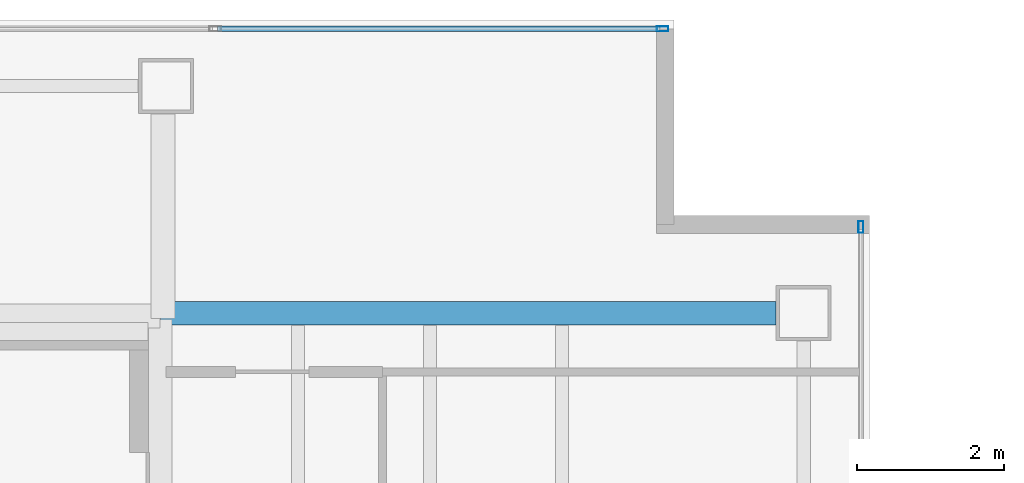
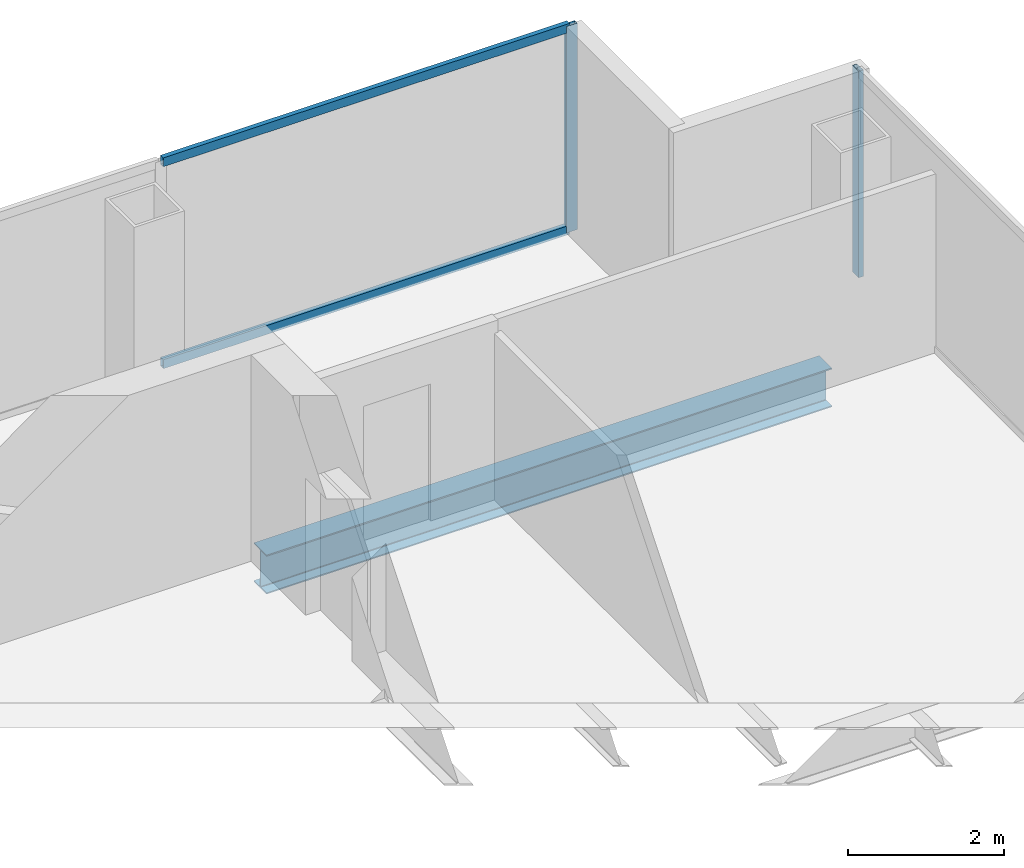
# One storey, part 18 of 23: 4 members, 1 beam, 2 elements without a shape of their own.
"""IFC4 building model written with IfcOpenShell, lengths in metres."""

from ifc_helpers import new_model, si_unit, direction, frame, origin, origin_2d, place, context, subcontext, project, spatial, hollow_rectangle, i_section, extrude, material, material_profile, profile_set, type_object, element, aggregate, save


model = new_model("IFC4")

# Units and contexts
model_context = context("Model", 3, precision=1e-05, world=origin(), true_north=direction((0.0, 1.0)))
body_context = subcontext(model_context, "Body", "Model", "MODEL_VIEW")
ifc_project = project(units=[si_unit("LENGTHUNIT", "METRE"), si_unit("AREAUNIT", "SQUARE_METRE"), si_unit("VOLUMEUNIT", "CUBIC_METRE"), si_unit("PLANEANGLEUNIT", "RADIAN"), si_unit("MASSUNIT", "GRAM", prefix="KILO")], contexts=[model_context])

# Site, building, storey
site_placement = place(None, origin())
site = spatial("IfcSite", under=ifc_project, at=site_placement, CompositionType="ELEMENT")
building_placement = place(site_placement, origin())
building = spatial("IfcBuilding", under=site, at=building_placement, Name="Cobrela Telecom Tower", CompositionType="ELEMENT")
storey_placement = place(building_placement, frame((0.0, 0.0, 218.75)))
storey = spatial("IfcBuildingStorey", under=building, at=storey_placement, Name="L56", CompositionType="ELEMENT", Elevation=218.75)

# Beam
ifc_material_1 = material(Name="Steel ASTM A992 Grade 50", Category="steel")
ifc_material_profile_1 = material_profile(ifc_material_1, i_section(OverallWidth=0.324951171875, OverallDepth=0.612060546875, WebThickness=0.0126953125, FlangeThickness=0.01904296875, FilletRadius=0.014892578125, at=origin_2d()), Name="W24X104")
ifc_profile_set_1 = profile_set([ifc_material_profile_1], Name="Steel ASTM A992 Grade 50")
beam_type = type_object("IfcBeamType", Name="BM-GIRD-07", PredefinedType="USERDEFINED", material=ifc_profile_set_1)
beam_placement = place(storey_placement, frame((14.324951171875, 36.0, -0.56591796875), z_axis=(1.0, 0.0, 0.0), x_axis=(0.0, 1.0, 0.0)))
element("IfcBeam", 1, at=beam_placement, inside=storey, type_object=beam_type, Name="L56 Primary Girder X22", ObjectType="GIRDER", PredefinedType="USERDEFINED", context=body_context, shape_type="SweptSolid", body=[
    extrude(i_section(OverallWidth=0.324951171875, OverallDepth=0.612060546875, WebThickness=0.0126953125, FlangeThickness=0.01904296875, FilletRadius=0.014892578125, at=origin_2d()), origin(), (0.0, 0.0, 1.0), 8.39501953125),
])

# Curtain wall, member
ifc_material_2 = material(Name="Anodized Bronze Aluminium 6063-T6", Category="aluminium")
curtain_wall_type = type_object("IfcCurtainWallType", Name="CW-SYS-OFF-LO", PredefinedType="USERDEFINED", material=ifc_material_2)
curtain_wall_1_placement = place(storey_placement, origin())
curtain_wall_1 = element("IfcCurtainWall", 2, at=curtain_wall_1_placement, inside=storey, type_object=curtain_wall_type, Name="L56 Unitised Bronze Curtain Wall 07", ObjectType="UNITISED CURTAIN WALL", PredefinedType="USERDEFINED")
ifc_material_profile_2 = material_profile(ifc_material_2, hollow_rectangle(XDim=0.070068359375, YDim=0.159912109375, WallThickness=0.00390625, at=origin_2d()), Name="ALU 70x160x4")
ifc_profile_set_2 = profile_set([ifc_material_profile_2], Name="Anodized Bronze Aluminium 6063-T6")
member_type_1 = type_object("IfcMemberType", Name="CW-SYS-OFF-LO-MUL", PredefinedType="MULLION", material=ifc_profile_set_2)
member_1_placement = place(storey_placement, frame((21.175048828125, 39.8798828125, 0.0), z_axis=(0.0, 0.0, 1.0), x_axis=(0.0, 1.0, 0.0)))
member_1 = element("IfcMember", 3, at=member_1_placement, type_object=member_type_1, Name="CW-OFF-LO mullion 4", PredefinedType="MULLION", context=body_context, shape_type="SweptSolid", body=[
    extrude(hollow_rectangle(XDim=0.070068359375, YDim=0.159912109375, WallThickness=0.00390625, at=origin_2d()), origin(), (0.0, 0.0, 1.0), 3.239990234375),
])

curtain_wall_2_placement = place(storey_placement, origin())
curtain_wall_2 = element("IfcCurtainWall", 4, at=curtain_wall_2_placement, inside=storey, type_object=curtain_wall_type, Name="L56 Unitised Bronze Curtain Wall 10", ObjectType="UNITISED CURTAIN WALL", PredefinedType="USERDEFINED")
member_2_placement = place(storey_placement, frame((23.8798828125, 37.175048828125, 0.0), z_axis=(0.0, 0.0, 1.0), x_axis=(1.0, 0.0, 0.0)))
member_2 = element("IfcMember", 5, at=member_2_placement, type_object=member_type_1, Name="CW-OFF-LO mullion 1", PredefinedType="MULLION", context=body_context, shape_type="SweptSolid", body=[
    extrude(hollow_rectangle(XDim=0.070068359375, YDim=0.159912109375, WallThickness=0.00390625, at=origin_2d()), origin(), (0.0, 0.0, 1.0), 3.239990234375),
])
aggregate(curtain_wall_2, [member_2])

# Member
ifc_material_profile_3 = material_profile(ifc_material_2, hollow_rectangle(XDim=0.070068359375, YDim=0.139892578125, WallThickness=0.00390625, at=origin_2d()), Name="ALU 70x140x4")
ifc_profile_set_3 = profile_set([ifc_material_profile_3], Name="Anodized Bronze Aluminium 6063-T6")
member_type_2 = type_object("IfcMemberType", Name="CW-SYS-OFF-LO-TRN", PredefinedType="USERDEFINED", material=ifc_profile_set_3)
member_3_placement = place(storey_placement, frame((15.10498046875, 39.8798828125, 0.034912109375), z_axis=(1.0, 0.0, 0.0), x_axis=(0.0, 1.0, 0.0)))
member_3 = element("IfcMember", 6, at=member_3_placement, type_object=member_type_2, Name="CW-OFF-LO transom 3.1", ObjectType="TRANSOM", PredefinedType="USERDEFINED", context=body_context, shape_type="SweptSolid", body=[
    extrude(hollow_rectangle(XDim=0.070068359375, YDim=0.139892578125, WallThickness=0.00390625, at=origin_2d()), origin(), (0.0, 0.0, 1.0), 6.034912109375),
])

member_4_placement = place(storey_placement, frame((15.10498046875, 39.8798828125, 3.205078125), z_axis=(1.0, 0.0, 0.0), x_axis=(0.0, 1.0, 0.0)))
member_4 = element("IfcMember", 7, at=member_4_placement, type_object=member_type_2, Name="CW-OFF-LO transom 3.2", ObjectType="TRANSOM", PredefinedType="USERDEFINED", context=body_context, shape_type="SweptSolid", body=[
    extrude(hollow_rectangle(XDim=0.070068359375, YDim=0.139892578125, WallThickness=0.00390625, at=origin_2d()), origin(), (0.0, 0.0, 1.0), 6.034912109375),
])

aggregate(curtain_wall_1, [member_1, member_3, member_4])

save(model, "model.ifc")
